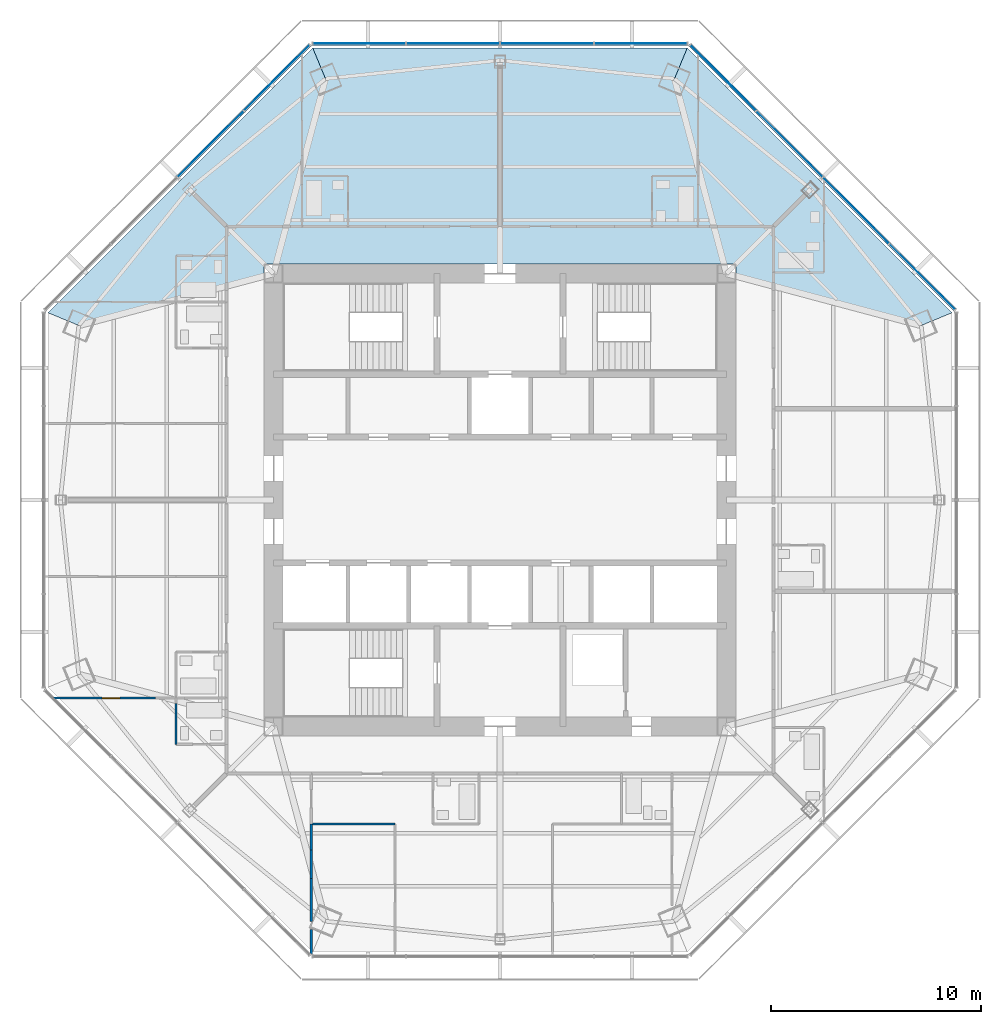
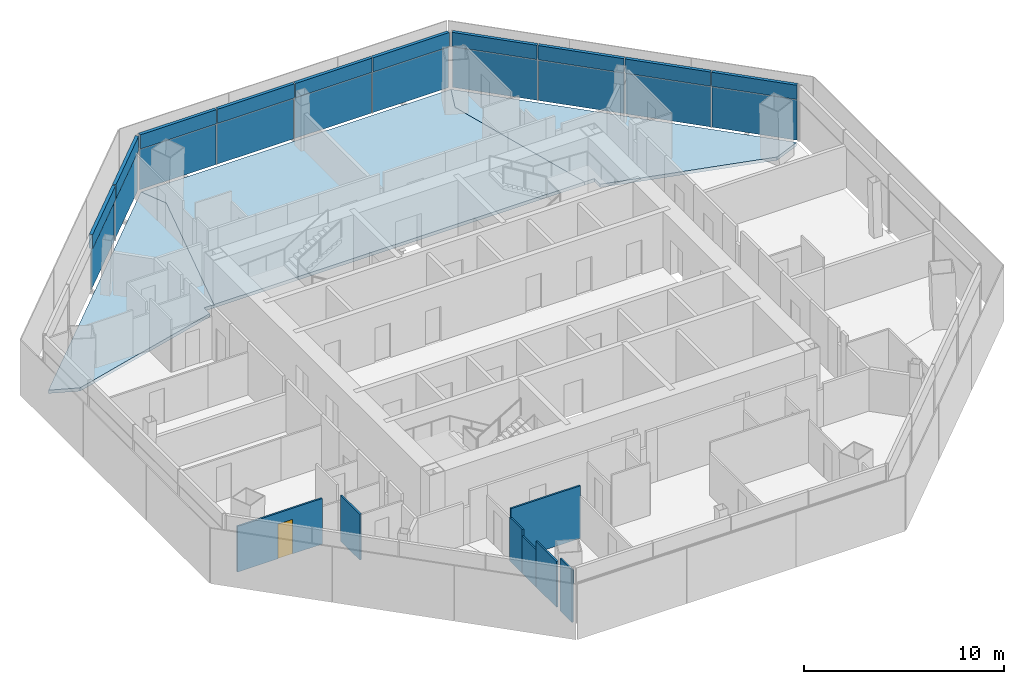
# One storey, part 8 of 15: 20 plates, 7 walls, 3 slabs, 1 door, 1 opening, 3 elements without a shape of their own.
"""IFC4 building model written with IfcOpenShell, lengths in metres."""

from ifc_helpers import new_model, si_unit, direction, frame, frame_2d, origin, origin_2d, place, context, subcontext, project, spatial, polyline, rectangle, outline, extrude, source, transform, mapped, material, layer, layer_set, type_object, type_shapes, element, fill, aggregate, save


model = new_model("IFC4")

# Units and contexts
model_context = context("Model", 3, precision=1e-05, world=origin(), true_north=direction((0.0, 1.0)))
body_context = subcontext(model_context, "Body", "Model", "MODEL_VIEW")
ifc_project = project(units=[si_unit("LENGTHUNIT", "METRE"), si_unit("AREAUNIT", "SQUARE_METRE"), si_unit("VOLUMEUNIT", "CUBIC_METRE"), si_unit("PLANEANGLEUNIT", "RADIAN"), si_unit("MASSUNIT", "GRAM", prefix="KILO")], contexts=[model_context])

# Site, building, storey
site_placement = place(None, origin())
site = spatial("IfcSite", under=ifc_project, at=site_placement, CompositionType="ELEMENT")
building_placement = place(site_placement, origin())
building = spatial("IfcBuilding", under=site, at=building_placement, Name="Mashrafa Tower", CompositionType="ELEMENT")
storey_placement = place(building_placement, frame((0.0, 0.0, 221.0)))
storey = spatial("IfcBuildingStorey", under=building, at=storey_placement, Name="L51", CompositionType="ELEMENT", Elevation=221.0)

# Slabs
ifc_material_1 = material(Name="Concrete C35/45", Category="concrete")
ifc_layer_1 = layer(ifc_material_1, 0.199951171875)
ifc_layer_set_1 = layer_set([ifc_layer_1], Name="Floor slab 200")
slab_type = type_object("IfcSlabType", Name="Floor slab 200", PredefinedType="FLOOR", material=ifc_layer_set_1)
slab_1_placement = place(storey_placement, frame((0.0, 0.0, -0.199951171875)))
element("IfcSlab", 1, at=slab_1_placement, inside=storey, type_object=slab_type, Name="Floor slab L51 north-east bay", PredefinedType="FLOOR", context=body_context, shape_type="SweptSolid", body=[
    extrude(outline(polyline([(8.931640625, 21.56298828125), (21.56298828125, 8.931640625), (21.56298828125, 8.931640625), (20.09033203125, 8.32177734375), (11.25, 10.679931640625), (11.25, 11.25), (10.679931640625, 11.25), (8.32177734375, 20.09033203125), (8.931640625, 21.56298828125), (8.931640625, 21.56298828125)])), origin(), (0.0, 0.0, 1.0), 0.199951171875),
])
slab_2_placement = place(storey_placement, frame((0.0, 0.0, -0.199951171875)))
element("IfcSlab", 2, at=slab_2_placement, inside=storey, type_object=slab_type, Name="Floor slab L51 north bay", PredefinedType="FLOOR", context=body_context, shape_type="SweptSolid", body=[
    extrude(outline(polyline([(8.931640625, 21.56298828125), (8.32177734375, 20.09033203125), (10.679931640625, 11.25), (-10.679931640625, 11.25), (-8.32177734375, 20.09033203125), (-8.931640625, 21.56298828125), (8.931640625, 21.56298828125)])), origin(), (0.0, 0.0, 1.0), 0.199951171875),
])
slab_3_placement = place(storey_placement, frame((0.0, 0.0, -0.199951171875)))
element("IfcSlab", 3, at=slab_3_placement, inside=storey, type_object=slab_type, Name="Floor slab L51 north-west bay", PredefinedType="FLOOR", context=body_context, shape_type="SweptSolid", body=[
    extrude(outline(polyline([(-21.56298828125, 8.931640625), (-8.931640625, 21.56298828125), (-8.931640625, 21.56298828125), (-8.32177734375, 20.09033203125), (-10.679931640625, 11.25), (-11.25, 11.25), (-11.25, 10.679931640625), (-20.09033203125, 8.32177734375), (-21.56298828125, 8.931640625), (-21.56298828125, 8.931640625)])), origin(), (0.0, 0.0, 1.0), 0.199951171875),
])

# Curtain wall, plates
ifc_material_2 = material(Name="Unitised aluminium curtain wall", Category="aluminium")
curtain_wall_type = type_object("IfcCurtainWallType", Name="Apartment curtain wall, zone 3 CW-C 180 deep", PredefinedType="NOTDEFINED", material=ifc_material_2)
curtain_wall_1_placement = place(storey_placement, origin())
curtain_wall_1 = element("IfcCurtainWall", 4, at=curtain_wall_1_placement, inside=storey, type_object=curtain_wall_type, Name="Apartment curtain wall, zone 3 L51 north-east", PredefinedType="NOTDEFINED")
ifc_material_3 = material(Name="Insulated double glazing, acoustic", Category="glass")
ifc_layer_2 = layer(ifc_material_3, 0.028076171875)
ifc_layer_set_2 = layer_set([ifc_layer_2], Name="Vision panel CW-C 28")
plate_type_1 = type_object("IfcPlateType", Name="Vision panel CW-C 28", PredefinedType="CURTAIN_PANEL", material=ifc_layer_set_2)
shared_shape_1 = source(origin(), body_context, "Body", "SweptSolid", [
    extrude(rectangle(XDim=4.3935546875, YDim=0.028076171875, at=origin_2d()), origin(), (0.0, 0.0, 1.0), 2.46240234375),
])
plate_1_placement = place(storey_placement, frame((20.1337890625, 10.643798828125, 0.0), z_axis=(0.0, 0.0, 1.0), x_axis=(-0.707106781187, 0.707106781187, 0.0)))
plate_1 = element("IfcPlate", 5, at=plate_1_placement, type_object=plate_type_1, Name="CW-C vision panel 1", PredefinedType="CURTAIN_PANEL", context=body_context, shape_type="MappedRepresentation", body=[
    mapped(shared_shape_1, transform((0.0, 0.0, 0.0))),
])
plate_2_placement = place(storey_placement, frame((10.643798828125, 20.1337890625, 0.0), z_axis=(0.0, 0.0, 1.0), x_axis=(-0.707106781187, 0.707106781187, 0.0)))
plate_2 = element("IfcPlate", 6, at=plate_2_placement, type_object=plate_type_1, Name="CW-C vision panel 4", PredefinedType="CURTAIN_PANEL", context=body_context, shape_type="MappedRepresentation", body=[
    mapped(shared_shape_1, transform((0.0, 0.0, 0.0))),
])

curtain_wall_2_placement = place(storey_placement, origin())
curtain_wall_2 = element("IfcCurtainWall", 7, at=curtain_wall_2_placement, inside=storey, type_object=curtain_wall_type, Name="Apartment curtain wall, zone 3 L51 north", PredefinedType="NOTDEFINED")
plate_3_placement = place(storey_placement, frame((6.71044921875, 21.762939453125, 0.0), z_axis=(0.0, 0.0, 1.0), x_axis=(-1.0, 0.0, 0.0)))
plate_3 = element("IfcPlate", 8, at=plate_3_placement, type_object=plate_type_1, Name="CW-C vision panel 1", PredefinedType="CURTAIN_PANEL", context=body_context, shape_type="MappedRepresentation", body=[
    mapped(shared_shape_1, transform((0.0, 0.0, 0.0))),
])
plate_4_placement = place(storey_placement, frame((-6.71044921875, 21.762939453125, 0.0), z_axis=(0.0, 0.0, 1.0), x_axis=(-1.0, 0.0, 0.0)))
plate_4 = element("IfcPlate", 9, at=plate_4_placement, type_object=plate_type_1, Name="CW-C vision panel 4", PredefinedType="CURTAIN_PANEL", context=body_context, shape_type="MappedRepresentation", body=[
    mapped(shared_shape_1, transform((0.0, 0.0, 0.0))),
])

# Curtain wall, plate
curtain_wall_3_placement = place(storey_placement, origin())
curtain_wall_3 = element("IfcCurtainWall", 10, at=curtain_wall_3_placement, inside=storey, type_object=curtain_wall_type, Name="Apartment curtain wall, zone 3 L51 north-west", PredefinedType="NOTDEFINED")
plate_5_placement = place(storey_placement, frame((-10.643798828125, 20.1337890625, 0.0), z_axis=(0.0, 0.0, 1.0), x_axis=(-0.707106781187, -0.707106781187, 0.0)))
plate_5 = element("IfcPlate", 11, at=plate_5_placement, type_object=plate_type_1, Name="CW-C vision panel 1", PredefinedType="CURTAIN_PANEL", context=body_context, shape_type="MappedRepresentation", body=[
    mapped(shared_shape_1, transform((0.0, 0.0, 0.0))),
])

# Plate
ifc_material_4 = material(Name="Insulated bronze aluminium spandrel panel", Category="aluminium")
ifc_layer_3 = layer(ifc_material_4, 0.179931640625)
ifc_layer_set_3 = layer_set([ifc_layer_3], Name="Spandrel panel CW-C 180")
plate_type_2 = type_object("IfcPlateType", Name="Spandrel panel CW-C 180", PredefinedType="CURTAIN_PANEL", material=ifc_layer_set_3)
shared_shape_2 = source(origin(), body_context, "Body", "SweptSolid", [
    extrude(rectangle(XDim=4.3935546875, YDim=0.179931640625, at=origin_2d()), origin(), (0.0, 0.0, 1.0), 0.862548828125),
])
plate_6_placement = place(storey_placement, frame((20.1337890625, 10.643798828125, 2.53759765625), z_axis=(0.0, 0.0, 1.0), x_axis=(-0.707106781187, 0.707106781187, 0.0)))
plate_6 = element("IfcPlate", 12, at=plate_6_placement, type_object=plate_type_2, Name="CW-C spandrel panel 1", PredefinedType="CURTAIN_PANEL", context=body_context, shape_type="MappedRepresentation", body=[
    mapped(shared_shape_2, transform((0.0, 0.0, 0.0))),
])

plate_7_placement = place(storey_placement, frame((10.643798828125, 20.1337890625, 2.53759765625), z_axis=(0.0, 0.0, 1.0), x_axis=(-0.707106781187, 0.707106781187, 0.0)))
plate_7 = element("IfcPlate", 13, at=plate_7_placement, type_object=plate_type_2, Name="CW-C spandrel panel 4", PredefinedType="CURTAIN_PANEL", context=body_context, shape_type="MappedRepresentation", body=[
    mapped(shared_shape_2, transform((0.0, 0.0, 0.0))),
])

plate_8_placement = place(storey_placement, frame((6.71044921875, 21.762939453125, 2.53759765625), z_axis=(0.0, 0.0, 1.0), x_axis=(-1.0, 0.0, 0.0)))
plate_8 = element("IfcPlate", 14, at=plate_8_placement, type_object=plate_type_2, Name="CW-C spandrel panel 1", PredefinedType="CURTAIN_PANEL", context=body_context, shape_type="MappedRepresentation", body=[
    mapped(shared_shape_2, transform((0.0, 0.0, 0.0))),
])

plate_9_placement = place(storey_placement, frame((-6.71044921875, 21.762939453125, 2.53759765625), z_axis=(0.0, 0.0, 1.0), x_axis=(-1.0, 0.0, 0.0)))
plate_9 = element("IfcPlate", 15, at=plate_9_placement, type_object=plate_type_2, Name="CW-C spandrel panel 4", PredefinedType="CURTAIN_PANEL", context=body_context, shape_type="MappedRepresentation", body=[
    mapped(shared_shape_2, transform((0.0, 0.0, 0.0))),
])

plate_10_placement = place(storey_placement, frame((-10.643798828125, 20.1337890625, 2.53759765625), z_axis=(0.0, 0.0, 1.0), x_axis=(-0.707106781187, -0.707106781187, 0.0)))
plate_10 = element("IfcPlate", 16, at=plate_10_placement, type_object=plate_type_2, Name="CW-C spandrel panel 1", PredefinedType="CURTAIN_PANEL", context=body_context, shape_type="MappedRepresentation", body=[
    mapped(shared_shape_2, transform((0.0, 0.0, 0.0))),
])

shared_shape_3 = source(origin(), body_context, "Body", "SweptSolid", [
    extrude(rectangle(XDim=4.423583984375, YDim=0.028076171875, at=origin_2d()), origin(), (0.0, 0.0, 1.0), 2.46240234375),
])
type_shapes(plate_type_1, [shared_shape_1, shared_shape_3])
plate_11_placement = place(storey_placement, frame((16.973876953125, 13.803466796875, 0.0), z_axis=(0.0, 0.0, 1.0), x_axis=(-0.707106781187, 0.707106781187, 0.0)))
plate_11 = element("IfcPlate", 17, at=plate_11_placement, type_object=plate_type_1, Name="CW-C vision panel 2", PredefinedType="CURTAIN_PANEL", context=body_context, shape_type="MappedRepresentation", body=[
    mapped(shared_shape_3, transform((0.0, 0.0, 0.0))),
])

plate_12_placement = place(storey_placement, frame((13.803466796875, 16.973876953125, 0.0), z_axis=(0.0, 0.0, 1.0), x_axis=(-0.707106781187, 0.707106781187, 0.0)))
plate_12 = element("IfcPlate", 18, at=plate_12_placement, type_object=plate_type_1, Name="CW-C vision panel 3", PredefinedType="CURTAIN_PANEL", context=body_context, shape_type="MappedRepresentation", body=[
    mapped(shared_shape_3, transform((0.0, 0.0, 0.0))),
])

plate_13_placement = place(storey_placement, frame((2.24169921875, 21.762939453125, 0.0), z_axis=(0.0, 0.0, 1.0), x_axis=(-1.0, 0.0, 0.0)))
plate_13 = element("IfcPlate", 19, at=plate_13_placement, type_object=plate_type_1, Name="CW-C vision panel 2", PredefinedType="CURTAIN_PANEL", context=body_context, shape_type="MappedRepresentation", body=[
    mapped(shared_shape_3, transform((0.0, 0.0, 0.0))),
])

plate_14_placement = place(storey_placement, frame((-2.24169921875, 21.762939453125, 0.0), z_axis=(0.0, 0.0, 1.0), x_axis=(-1.0, 0.0, 0.0)))
plate_14 = element("IfcPlate", 20, at=plate_14_placement, type_object=plate_type_1, Name="CW-C vision panel 3", PredefinedType="CURTAIN_PANEL", context=body_context, shape_type="MappedRepresentation", body=[
    mapped(shared_shape_3, transform((0.0, 0.0, 0.0))),
])

plate_15_placement = place(storey_placement, frame((-13.803466796875, 16.973876953125, 0.0), z_axis=(0.0, 0.0, 1.0), x_axis=(-0.707106781187, -0.707106781187, 0.0)))
plate_15 = element("IfcPlate", 21, at=plate_15_placement, type_object=plate_type_1, Name="CW-C vision panel 2", PredefinedType="CURTAIN_PANEL", context=body_context, shape_type="MappedRepresentation", body=[
    mapped(shared_shape_3, transform((0.0, 0.0, 0.0))),
])

shared_shape_4 = source(origin(), body_context, "Body", "SweptSolid", [
    extrude(rectangle(XDim=4.423583984375, YDim=0.179931640625, at=origin_2d()), origin(), (0.0, 0.0, 1.0), 0.862548828125),
])
type_shapes(plate_type_2, [shared_shape_2, shared_shape_4])
plate_16_placement = place(storey_placement, frame((16.973876953125, 13.803466796875, 2.53759765625), z_axis=(0.0, 0.0, 1.0), x_axis=(-0.707106781187, 0.707106781187, 0.0)))
plate_16 = element("IfcPlate", 22, at=plate_16_placement, type_object=plate_type_2, Name="CW-C spandrel panel 2", PredefinedType="CURTAIN_PANEL", context=body_context, shape_type="MappedRepresentation", body=[
    mapped(shared_shape_4, transform((0.0, 0.0, 0.0))),
])

plate_17_placement = place(storey_placement, frame((13.803466796875, 16.973876953125, 2.53759765625), z_axis=(0.0, 0.0, 1.0), x_axis=(-0.707106781187, 0.707106781187, 0.0)))
plate_17 = element("IfcPlate", 23, at=plate_17_placement, type_object=plate_type_2, Name="CW-C spandrel panel 3", PredefinedType="CURTAIN_PANEL", context=body_context, shape_type="MappedRepresentation", body=[
    mapped(shared_shape_4, transform((0.0, 0.0, 0.0))),
])

aggregate(curtain_wall_1, [plate_1, plate_6, plate_11, plate_16, plate_12, plate_17, plate_2, plate_7])

plate_18_placement = place(storey_placement, frame((2.24169921875, 21.762939453125, 2.53759765625), z_axis=(0.0, 0.0, 1.0), x_axis=(-1.0, 0.0, 0.0)))
plate_18 = element("IfcPlate", 24, at=plate_18_placement, type_object=plate_type_2, Name="CW-C spandrel panel 2", PredefinedType="CURTAIN_PANEL", context=body_context, shape_type="MappedRepresentation", body=[
    mapped(shared_shape_4, transform((0.0, 0.0, 0.0))),
])

plate_19_placement = place(storey_placement, frame((-2.24169921875, 21.762939453125, 2.53759765625), z_axis=(0.0, 0.0, 1.0), x_axis=(-1.0, 0.0, 0.0)))
plate_19 = element("IfcPlate", 25, at=plate_19_placement, type_object=plate_type_2, Name="CW-C spandrel panel 3", PredefinedType="CURTAIN_PANEL", context=body_context, shape_type="MappedRepresentation", body=[
    mapped(shared_shape_4, transform((0.0, 0.0, 0.0))),
])

aggregate(curtain_wall_2, [plate_3, plate_8, plate_13, plate_18, plate_14, plate_19, plate_4, plate_9])

plate_20_placement = place(storey_placement, frame((-13.803466796875, 16.973876953125, 2.53759765625), z_axis=(0.0, 0.0, 1.0), x_axis=(-0.707106781187, -0.707106781187, 0.0)))
plate_20 = element("IfcPlate", 26, at=plate_20_placement, type_object=plate_type_2, Name="CW-C spandrel panel 2", PredefinedType="CURTAIN_PANEL", context=body_context, shape_type="MappedRepresentation", body=[
    mapped(shared_shape_4, transform((0.0, 0.0, 0.0))),
])

aggregate(curtain_wall_3, [plate_5, plate_10, plate_15, plate_20])

# Wall
ifc_material_5 = material(Name="Gypsum board on steel studs", Category="steel")
ifc_layer_4 = layer(ifc_material_5, 0.10009765625)
ifc_layer_set_4 = layer_set([ifc_layer_4], Name="Partition 100")
wall_type = type_object("IfcWallType", Name="Partition 100", PredefinedType="PARTITIONING", material=ifc_layer_set_4)
wall_1_placement = place(storey_placement, frame((-15.449951171875, -9.715576171875, 0.0), z_axis=(0.0, 0.0, 1.0), x_axis=(0.0, -1.0, 0.0)))
element("IfcWall", 27, at=wall_1_placement, inside=storey, type_object=wall_type, Name="Partition wall L51-098", PredefinedType="PARTITIONING", context=body_context, shape_type="SweptSolid", body=[
    extrude(rectangle(XDim=1.934326171875, YDim=0.10009765625, at=frame_2d((0.96728515625, 0.0))), origin(), (0.0, 0.0, 1.0), 2.7861328125),
])

# Wall, opening, door
wall_2_placement = place(storey_placement, frame((-16.419677734375, -9.449951171875, 0.0), z_axis=(0.0, 0.0, 1.0), x_axis=(-1.0, 0.0, 0.0)))
wall_2 = element("IfcWall", 28, at=wall_2_placement, inside=storey, type_object=wall_type, Name="Partition wall L51-103", PredefinedType="PARTITIONING", context=body_context, shape_type="SweptSolid", body=[
    extrude(rectangle(XDim=4.885986328125, YDim=0.10009765625, at=frame_2d((2.44287109375, 0.0))), origin(), (0.0, 0.0, 1.0), 2.78369140625),
])
opening_placement = place(wall_2_placement, frame((1.710693359375, 0.0, 0.0)))
opening = element("IfcOpeningElement", 29, at=opening_placement, cuts=wall_2, Name="Opening 51.019", PredefinedType="OPENING", context=body_context, shape_type="SweptSolid", body=[
    extrude(rectangle(XDim=0.85009765625, YDim=2.10009765625, at=frame_2d((0.425048828125, 1.050048828125))), frame((0.0, 0.06005859375, 0.0), z_axis=(0.0, -1.0, 0.0), x_axis=(1.0, 0.0, 0.0)), (0.0, 0.0, 1.0), 0.1201171875),
])
ifc_material_6 = material(Name="Timber door", Category="wood")
door_type = type_object("IfcDoorType", Name="Bedroom door 850 x 2100", OperationType="USERDEFINED", PredefinedType="DOOR", material=ifc_material_6)
door_placement = place(opening_placement, origin())
door = element("IfcDoor", 30, at=door_placement, inside=storey, type_object=door_type, Name="Apartment 5107 Bedroom 1 door", OperationType="SINGLE_SWING_RIGHT", OverallHeight=2.10009765625, OverallWidth=0.85009765625, PredefinedType="DOOR", context=body_context, shape_type="SweptSolid", body=[
    extrude(rectangle(XDim=0.85009765625, YDim=2.10009765625, at=frame_2d((0.425048828125, 1.050048828125))), frame((0.0, 0.02490234375, 0.0), z_axis=(0.0, -1.0, 0.0), x_axis=(1.0, 0.0, 0.0)), (0.0, 0.0, 1.0), 0.050048828125),
])
fill(opening, door)

# Walls
wall_3_placement = place(storey_placement, frame((-9.0, -21.645263671875, 0.0), z_axis=(0.0, 0.0, 1.0), x_axis=(0.0, 1.0, 0.0)))
element("IfcWall", 31, at=wall_3_placement, inside=storey, type_object=wall_type, Name="Partition wall L51-110", PredefinedType="PARTITIONING", context=body_context, shape_type="SweptSolid", body=[
    extrude(rectangle(XDim=1.172119140625, YDim=0.10009765625, at=frame_2d((0.5859375, 0.0))), origin(), (0.0, 0.0, 1.0), 3.199951171875),
])
wall_4_placement = place(storey_placement, frame((-9.0, -20.1103515625, 0.0), z_axis=(0.0, 0.0, 1.0), x_axis=(0.0, 1.0, 0.0)))
element("IfcWall", 32, at=wall_4_placement, inside=storey, type_object=wall_type, Name="Partition wall L51-111", PredefinedType="PARTITIONING", context=body_context, shape_type="SweptSolid", body=[
    extrude(rectangle(XDim=2.047607421875, YDim=0.10009765625, at=frame_2d((1.02392578125, 0.0))), origin(), (0.0, 0.0, 1.0), 2.78369140625),
])
wall_5_placement = place(storey_placement, frame((-9.0, -16.681640625, 0.0), z_axis=(0.0, 0.0, 1.0), x_axis=(0.0, 1.0, 0.0)))
element("IfcWall", 33, at=wall_5_placement, inside=storey, type_object=wall_type, Name="Partition wall L51-112", PredefinedType="PARTITIONING", context=body_context, shape_type="SweptSolid", body=[
    extrude(rectangle(XDim=1.232666015625, YDim=0.10009765625, at=frame_2d((0.6162109375, 0.0))), origin(), (0.0, 0.0, 1.0), 2.664306640625),
])
wall_6_placement = place(storey_placement, frame((-9.0, -18.062744140625, 0.0), z_axis=(0.0, 0.0, 1.0), x_axis=(0.0, 1.0, 0.0)))
element("IfcWall", 34, at=wall_6_placement, inside=storey, type_object=wall_type, Name="Partition wall L51-113", PredefinedType="PARTITIONING", context=body_context, shape_type="SweptSolid", body=[
    extrude(rectangle(XDim=1.381103515625, YDim=0.10009765625, at=frame_2d((0.6904296875, 0.0))), origin(), (0.0, 0.0, 1.0), 2.26806640625),
])
wall_7_placement = place(storey_placement, frame((-5.0, -15.449951171875, 0.0), z_axis=(0.0, 0.0, 1.0), x_axis=(-1.0, 0.0, 0.0)))
element("IfcWall", 35, at=wall_7_placement, inside=storey, type_object=wall_type, Name="Partition wall L51-116", PredefinedType="PARTITIONING", context=body_context, shape_type="SweptSolid", body=[
    extrude(rectangle(XDim=4.0, YDim=0.10009765625, at=frame_2d((2.0, 0.0))), origin(), (0.0, 0.0, 1.0), 3.199951171875),
])

save(model, "model.ifc")
